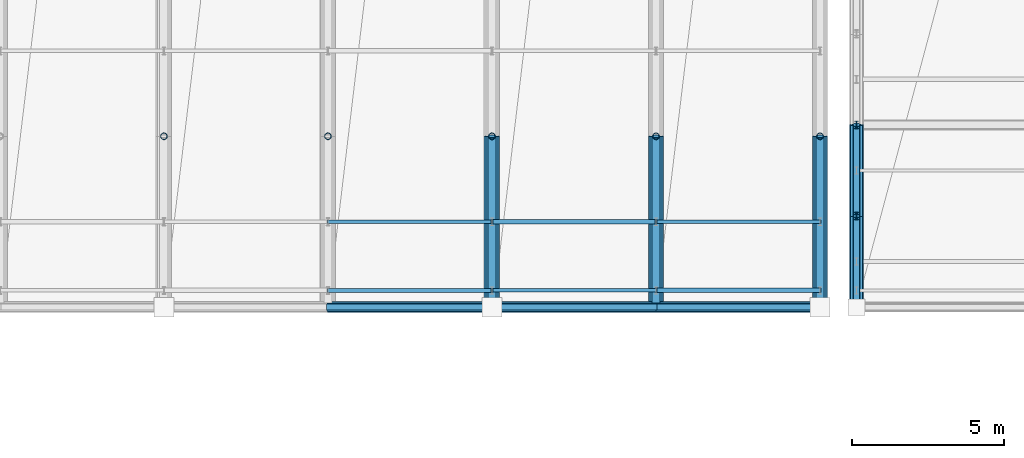
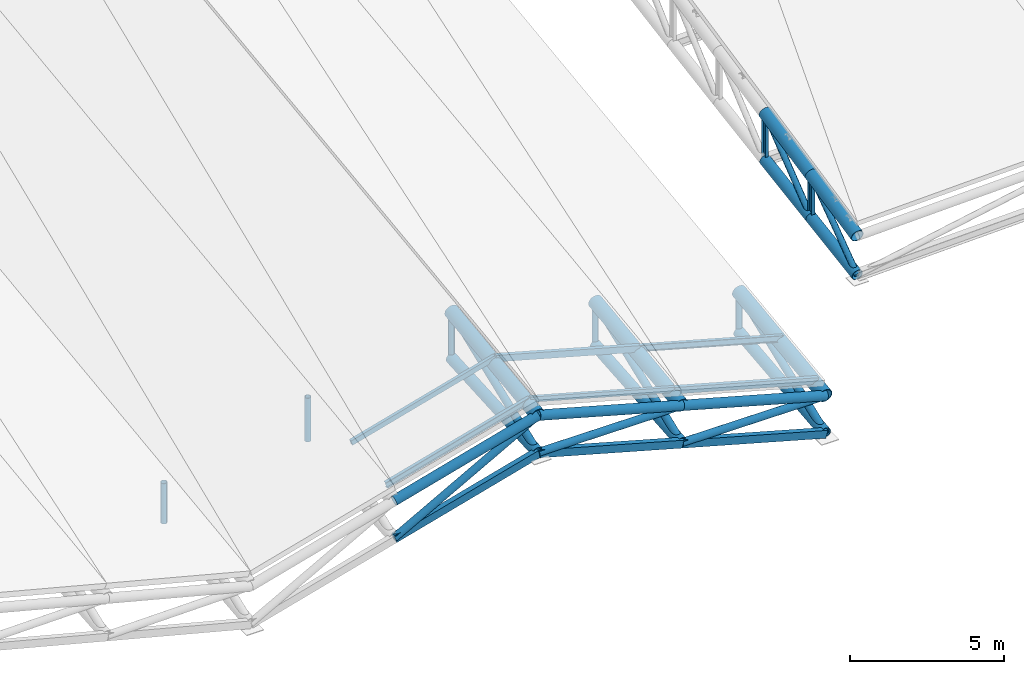
# One storey, part 32 of 109: 27 members, 10 beams.
"""IFC4 building model written with IfcOpenShell, lengths in metres."""

from ifc_helpers import new_model, si_unit, direction, frame, origin, origin_2d, place, context, subcontext, project, spatial, hollow_rectangle, hollow_circle, i_section, extrude, material, material_profile, profile_set, type_object, element, save


model = new_model("IFC4")

# Units and contexts
model_context = context("Model", 3, precision=1e-05, world=origin(), true_north=direction((0.0, 1.0)))
body_context = subcontext(model_context, "Body", "Model", "MODEL_VIEW")
ifc_project = project(units=[si_unit("LENGTHUNIT", "METRE"), si_unit("AREAUNIT", "SQUARE_METRE"), si_unit("VOLUMEUNIT", "CUBIC_METRE"), si_unit("PLANEANGLEUNIT", "RADIAN"), si_unit("MASSUNIT", "GRAM", prefix="KILO")], contexts=[model_context])

# Site, building, storey
site_placement = place(None, origin())
site = spatial("IfcSite", under=ifc_project, at=site_placement, CompositionType="ELEMENT")
building_placement = place(site_placement, origin())
building = spatial("IfcBuilding", under=site, at=building_placement, Name="Suirenkawa Promenade Aquatics Centre", CompositionType="ELEMENT")
storey_placement = place(building_placement, frame((0.0, 0.0, 22.800048828125)))
storey = spatial("IfcBuildingStorey", under=building, at=storey_placement, Name="ROOF", CompositionType="ELEMENT", Elevation=22.800048828125)

# Beams
ifc_material = material(Name="Steel IS 2062 E350 (Grade 350)", Category="steel")
ifc_material_profile_1 = material_profile(ifc_material, hollow_circle(Radius=0.202880859375, WallThickness=0.01806640625, at=origin_2d()), Name="CHS 406x18", Category="steel")
ifc_profile_set_1 = profile_set([ifc_material_profile_1], Name="Steel IS 2062 E350 (Grade 350)")
beam_type_1 = type_object("IfcBeamType", Name="BT-BC-CHS406", PredefinedType="BEAM", material=ifc_profile_set_1)
beam_1_placement = place(storey_placement, frame((144.0, 50.39990234375, -13.47998046875), z_axis=(0.0, 0.998124718782, 0.061213117519), x_axis=(-1.0, 0.0, 0.0)))
element("IfcBeam", 1, at=beam_1_placement, inside=storey, type_object=beam_type_1, Name="ROOF TRUSS V1 bottom chord BC-01 BM-2312", PredefinedType="BEAM", context=body_context, shape_type="SweptSolid", body=[
    extrude(hollow_circle(Radius=0.202880859375, WallThickness=0.01806640625, at=origin_2d()), origin(), (0.0, 0.0, 1.0), 5.635498046875),
])
beam_2_placement = place(storey_placement, frame((149.39990234375, 50.39990234375, -14.97998046875), z_axis=(0.0, 0.996499069884, 0.083603849917), x_axis=(-1.0, 0.0, 0.0)))
element("IfcBeam", 2, at=beam_2_placement, inside=storey, type_object=beam_type_1, Name="ROOF TRUSS V1 bottom chord BC-01 BM-2340", PredefinedType="BEAM", context=body_context, shape_type="SweptSolid", body=[
    extrude(hollow_circle(Radius=0.202880859375, WallThickness=0.01806640625, at=origin_2d()), origin(), (0.0, 0.0, 1.0), 5.644775390625),
])
beam_3_placement = place(storey_placement, frame((154.800048828125, 50.39990234375, -16.47998046875), z_axis=(0.0, 0.994361931266, 0.106039377826), x_axis=(-1.0, 0.0, 0.0)))
element("IfcBeam", 3, at=beam_3_placement, inside=storey, type_object=beam_type_1, Name="ROOF TRUSS V1 bottom chord BC-01 BM-2368", PredefinedType="BEAM", context=body_context, shape_type="SweptSolid", body=[
    extrude(hollow_circle(Radius=0.202880859375, WallThickness=0.01806640625, at=origin_2d()), origin(), (0.0, 0.0, 1.0), 5.656982421875),
])
beam_4_placement = place(storey_placement, frame((156.0, 50.39990234375, -10.630126953125), z_axis=(0.0, 0.988146576735, 0.153513331298), x_axis=(-1.0, 0.0, 0.0)))
element("IfcBeam", 4, at=beam_4_placement, inside=storey, type_object=beam_type_1, Name="ROOF TRUSS V2 bottom chord BC-01 BM-2396", PredefinedType="BEAM", context=body_context, shape_type="SweptSolid", body=[
    extrude(hollow_circle(Radius=0.202880859375, WallThickness=0.01806640625, at=origin_2d()), origin(), (0.0, 0.0, 1.0), 3.035888671875),
])
beam_5_placement = place(storey_placement, frame((156.0, 53.39990234375, -10.1640625), z_axis=(0.0, 0.987852103285, 0.155396982068), x_axis=(-1.0, 0.0, 0.0)))
element("IfcBeam", 5, at=beam_5_placement, inside=storey, type_object=beam_type_1, Name="ROOF TRUSS V2 bottom chord BC-01 BM-2398", PredefinedType="BEAM", context=body_context, shape_type="SweptSolid", body=[
    extrude(hollow_circle(Radius=0.202880859375, WallThickness=0.01806640625, at=origin_2d()), origin(), (0.0, 0.0, 1.0), 3.036865234375),
])
ifc_material_profile_2 = material_profile(ifc_material, hollow_circle(Radius=0.22900390625, WallThickness=0.02001953125, at=origin_2d()), Name="CHS 458x20", Category="steel")
ifc_profile_set_2 = profile_set([ifc_material_profile_2], Name="Steel IS 2062 E350 (Grade 350)")
beam_type_2 = type_object("IfcBeamType", Name="BT-TC-CHS458", PredefinedType="BEAM", material=ifc_profile_set_2)
for number, where, z_axis, x_axis, name in (
    (6, (156.0, 50.39990234375, -9.080078125), (0.0, 0.978452518953, 0.206471954886), (-1.0, 0.0, 0.0), "ROOF TRUSS V2 top chord TC-01 BM-2395"),
    (7, (156.0, 53.39990234375, -8.447021484375), (0.0, 0.978388130003, 0.206776853322), (-1.0, 0.0, 0.0), "ROOF TRUSS V2 top chord TC-01 BM-2397"),
):
    element("IfcBeam", number, at=place(storey_placement, frame(where, z_axis=z_axis, x_axis=x_axis)), inside=storey, type_object=beam_type_2, Name=name, PredefinedType="BEAM", context=body_context, shape_type="SweptSolid", body=[
        extrude(hollow_circle(Radius=0.22900390625, WallThickness=0.02001953125, at=origin_2d()), origin(), (0.0, 0.0, 1.0), 3.066162109375),
    ])
ifc_material_profile_3 = material_profile(ifc_material, hollow_circle(Radius=0.25390625, WallThickness=0.02392578125, at=origin_2d()), Name="CHS 508x24", Category="steel")
ifc_profile_set_3 = profile_set([ifc_material_profile_3], Name="Steel IS 2062 E350 (Grade 350)")
beam_type_3 = type_object("IfcBeamType", Name="BT-TC-CHS508", PredefinedType="BEAM", material=ifc_profile_set_3)
for number, where, z_axis, x_axis, name in (
    (8, (144.0, 50.39990234375, -12.0), (0.0, 0.991799178012, 0.127806065951), (-1.0, 0.0, 0.0), "ROOF TRUSS V1 top chord TC-02 BM-2311"),
    (9, (149.39990234375, 50.39990234375, -13.5), (0.0, 0.991799178012, 0.127806065951), (-1.0, 0.0, 0.0), "ROOF TRUSS V1 top chord TC-02 BM-2339"),
    (10, (154.800048828125, 50.39990234375, -15.0), (0.0, 0.991799178012, 0.127806065951), (-1.0, 0.0, 0.0), "ROOF TRUSS V1 top chord TC-02 BM-2367"),
):
    element("IfcBeam", number, at=place(storey_placement, frame(where, z_axis=z_axis, x_axis=x_axis)), inside=storey, type_object=beam_type_3, Name=name, PredefinedType="BEAM", context=body_context, shape_type="SweptSolid", body=[
        extrude(hollow_circle(Radius=0.25390625, WallThickness=0.02392578125, at=origin_2d()), origin(), (0.0, 0.0, 1.0), 5.671630859375),
    ])

# Members
ifc_material_profile_4 = material_profile(ifc_material, hollow_circle(Radius=0.177978515625, WallThickness=0.01611328125, at=origin_2d()), Name="CHS 356x16", Category="steel")
ifc_profile_set_4 = profile_set([ifc_material_profile_4], Name="Steel IS 2062 E350 (Grade 350)")
member_type_1 = type_object("IfcMemberType", Name="MT-CHORD-CHS356", PredefinedType="CHORD", material=ifc_profile_set_4)
for number, where, z_axis, x_axis, name in (
    (11, (138.60009765625, 50.39990234375, -13.5), (0.963516661409, 0.0, 0.267648357342), (0.0, 1.0, 0.0), "ROOF TRUSS V1 eave top chord CH-02 MB-0619"),
    (12, (144.0, 50.39990234375, -12.0), (0.963516661409, 0.0, -0.267648357342), (0.0, 1.0, 0.0), "ROOF TRUSS V1 eave top chord CH-02 MB-0622"),
):
    element("IfcMember", number, at=place(storey_placement, frame(where, z_axis=z_axis, x_axis=x_axis)), inside=storey, type_object=member_type_1, Name=name, PredefinedType="CHORD", context=body_context, shape_type="SweptSolid", body=[
        extrude(hollow_circle(Radius=0.177978515625, WallThickness=0.01611328125, at=origin_2d()), origin(), (0.0, 0.0, 1.0), 5.604248046875),
    ])
member_1_placement = place(storey_placement, frame((149.39990234375, 50.39990234375, -13.5), z_axis=(0.963519781844, 0.0, -0.267637123724), x_axis=(0.0, 1.0, 0.0)))
element("IfcMember", 13, at=member_1_placement, inside=storey, type_object=member_type_1, Name="ROOF TRUSS V1 eave top chord CH-02 MB-0625", PredefinedType="CHORD", context=body_context, shape_type="SweptSolid", body=[
    extrude(hollow_circle(Radius=0.177978515625, WallThickness=0.01611328125, at=origin_2d()), origin(), (0.0, 0.0, 1.0), 5.6044921875),
])
ifc_material_profile_5 = material_profile(ifc_material, hollow_rectangle(XDim=0.199951171875, YDim=0.300048828125, WallThickness=0.011962890625, at=origin_2d()), Name="RHS 300x200x12", Category="steel")
ifc_profile_set_5 = profile_set([ifc_material_profile_5], Name="Steel IS 2062 E350 (Grade 350)")
member_type_2 = type_object("IfcMemberType", Name="MT-CHORD-RHS300", PredefinedType="CHORD", material=ifc_profile_set_5)
for number, where, z_axis, x_axis, name in (
    (14, (138.60009765625, 50.39990234375, -14.97998046875), (0.963516661409, 0.0, 0.267648357342), (0.0, 1.0, 0.0), "ROOF TRUSS V1 eave bottom chord CH-03 MB-0620"),
    (15, (144.0, 50.39990234375, -13.47998046875), (0.963516661409, 0.0, -0.267648357342), (0.0, 1.0, 0.0), "ROOF TRUSS V1 eave bottom chord CH-03 MB-0623"),
):
    element("IfcMember", number, at=place(storey_placement, frame(where, z_axis=z_axis, x_axis=x_axis)), inside=storey, type_object=member_type_2, Name=name, PredefinedType="CHORD", context=body_context, shape_type="SweptSolid", body=[
        extrude(hollow_rectangle(XDim=0.199951171875, YDim=0.300048828125, WallThickness=0.011962890625, at=origin_2d()), origin(), (0.0, 0.0, 1.0), 5.604248046875),
    ])
member_2_placement = place(storey_placement, frame((149.39990234375, 50.39990234375, -14.97998046875), z_axis=(0.963519781844, 0.0, -0.267637123724), x_axis=(0.0, 1.0, 0.0)))
element("IfcMember", 16, at=member_2_placement, inside=storey, type_object=member_type_2, Name="ROOF TRUSS V1 eave bottom chord CH-03 MB-0626", PredefinedType="CHORD", context=body_context, shape_type="SweptSolid", body=[
    extrude(hollow_rectangle(XDim=0.199951171875, YDim=0.300048828125, WallThickness=0.011962890625, at=origin_2d()), origin(), (0.0, 0.0, 1.0), 5.6044921875),
])
ifc_material_profile_6 = material_profile(ifc_material, i_section(OverallWidth=0.125, OverallDepth=0.25, WebThickness=0.007080078125, FlangeThickness=0.012939453125, at=origin_2d()), Name="ISMB 250", Category="steel")
ifc_profile_set_6 = profile_set([ifc_material_profile_6], Name="Steel IS 2062 E350 (Grade 350)")
member_type_3 = type_object("IfcMemberType", Name="MT-PURLIN-ISMB250", PredefinedType="PURLIN", material=ifc_profile_set_6)
member_3_placement = place(storey_placement, frame((138.60009765625, 50.949951171875, -13.2080078125), z_axis=(0.963516661409, 0.0, 0.267648357342), x_axis=(0.0, 1.0, 0.0)))
element("IfcMember", 17, at=member_3_placement, inside=storey, type_object=member_type_3, Name="ROOF TRUSS Roof purlin PU-04 MB-2299", PredefinedType="PURLIN", context=body_context, shape_type="SweptSolid", body=[
    extrude(i_section(OverallWidth=0.125, OverallDepth=0.25, WebThickness=0.007080078125, FlangeThickness=0.012939453125, at=origin_2d()), origin(), (0.0, 0.0, 1.0), 5.604248046875),
])
member_4_placement = place(storey_placement, frame((149.39990234375, 53.2119140625, -12.9169921875), z_axis=(0.963519781844, 0.0, -0.267637123724), x_axis=(0.0, 1.0, 0.0)))
element("IfcMember", 18, at=member_4_placement, inside=storey, type_object=member_type_3, Name="ROOF TRUSS Roof purlin PU-04 MB-2373", PredefinedType="PURLIN", context=body_context, shape_type="SweptSolid", body=[
    extrude(i_section(OverallWidth=0.125, OverallDepth=0.25, WebThickness=0.007080078125, FlangeThickness=0.012939453125, at=origin_2d()), origin(), (0.0, 0.0, 1.0), 5.6044921875),
])
ifc_material_profile_7 = material_profile(ifc_material, hollow_rectangle(XDim=0.1201171875, YDim=0.199951171875, WallThickness=0.008056640625, at=origin_2d()), Name="RHS 200x120x8", Category="steel")
ifc_profile_set_7 = profile_set([ifc_material_profile_7], Name="Steel IS 2062 E350 (Grade 350)")
member_type_4 = type_object("IfcMemberType", Name="MT-PURLIN-RHS200", PredefinedType="PURLIN", material=ifc_profile_set_7)
for number, where, z_axis, x_axis, name in (
    (19, (138.60009765625, 53.2119140625, -12.89111328125), (0.963516661409, 0.0, 0.267648357342), (0.0, 1.0, 0.0), "ROOF TRUSS Roof purlin PU-02 MB-2301"),
    (20, (144.0, 50.949951171875, -11.68310546875), (0.963516661409, 0.0, -0.267648357342), (0.0, 1.0, 0.0), "ROOF TRUSS Roof purlin PU-02 MB-2335"),
):
    element("IfcMember", number, at=place(storey_placement, frame(where, z_axis=z_axis, x_axis=x_axis)), inside=storey, type_object=member_type_4, Name=name, PredefinedType="PURLIN", context=body_context, shape_type="SweptSolid", body=[
        extrude(hollow_rectangle(XDim=0.1201171875, YDim=0.199951171875, WallThickness=0.008056640625, at=origin_2d()), origin(), (0.0, 0.0, 1.0), 5.604248046875),
    ])
ifc_material_profile_8 = material_profile(ifc_material, hollow_rectangle(XDim=0.14990234375, YDim=0.25, WallThickness=0.010009765625, at=origin_2d()), Name="RHS 250x150x10", Category="steel")
ifc_profile_set_8 = profile_set([ifc_material_profile_8], Name="Steel IS 2062 E350 (Grade 350)")
member_type_5 = type_object("IfcMemberType", Name="MT-PURLIN-RHS250", PredefinedType="PURLIN", material=ifc_profile_set_8)
member_5_placement = place(storey_placement, frame((144.0, 53.2119140625, -11.41796875), z_axis=(0.963516661409, 0.0, -0.267648357342), x_axis=(0.0, 1.0, 0.0)))
element("IfcMember", 21, at=member_5_placement, inside=storey, type_object=member_type_5, Name="ROOF TRUSS Roof purlin PU-03 MB-2337", PredefinedType="PURLIN", context=body_context, shape_type="SweptSolid", body=[
    extrude(hollow_rectangle(XDim=0.14990234375, YDim=0.25, WallThickness=0.010009765625, at=origin_2d()), origin(), (0.0, 0.0, 1.0), 5.604248046875),
])
member_6_placement = place(storey_placement, frame((149.39990234375, 50.949951171875, -13.2099609375), z_axis=(0.963519781844, 0.0, -0.267637123724), x_axis=(0.0, 1.0, 0.0)))
element("IfcMember", 22, at=member_6_placement, inside=storey, type_object=member_type_5, Name="ROOF TRUSS Roof purlin PU-03 MB-2371", PredefinedType="PURLIN", context=body_context, shape_type="SweptSolid", body=[
    extrude(hollow_rectangle(XDim=0.14990234375, YDim=0.25, WallThickness=0.010009765625, at=origin_2d()), origin(), (0.0, 0.0, 1.0), 5.6044921875),
])
ifc_material_profile_9 = material_profile(ifc_material, i_section(OverallWidth=0.125, OverallDepth=0.25, WebThickness=0.007080078125, FlangeThickness=0.012939453125, at=origin_2d()), Name="ISMB 250", Category="steel")
ifc_profile_set_9 = profile_set([ifc_material_profile_9], Name="Steel IS 2062 E350 (Grade 350)")
member_type_6 = type_object("IfcMemberType", Name="MT-WEB-CHS168", PredefinedType="BRACE", material=ifc_profile_set_9)
member_7_placement = place(storey_placement, frame((156.0, 53.39990234375, -10.1640625), z_axis=(0.0, 0.0, 1.0), x_axis=(1.0, 0.0, 0.0)))
element("IfcMember", 23, at=member_7_placement, inside=storey, type_object=member_type_6, Name="ROOF TRUSS V2 web post TD-03 MB-0989", PredefinedType="BRACE", context=body_context, shape_type="SweptSolid", body=[
    extrude(i_section(OverallWidth=0.125, OverallDepth=0.25, WebThickness=0.007080078125, FlangeThickness=0.012939453125, at=origin_2d()), origin(), (0.0, 0.0, 1.0), 1.717041015625),
])
member_8_placement = place(storey_placement, frame((156.0, 56.39990234375, -9.692138671875), z_axis=(0.0, 0.0, 1.0), x_axis=(1.0, 0.0, 0.0)))
element("IfcMember", 24, at=member_8_placement, inside=storey, type_object=member_type_6, Name="ROOF TRUSS V2 web post TD-03 MB-0990", PredefinedType="BRACE", context=body_context, shape_type="SweptSolid", body=[
    extrude(i_section(OverallWidth=0.125, OverallDepth=0.25, WebThickness=0.007080078125, FlangeThickness=0.012939453125, at=origin_2d()), origin(), (0.0, 0.0, 1.0), 1.879150390625),
])
ifc_material_profile_10 = material_profile(ifc_material, hollow_circle(Radius=0.110107421875, WallThickness=0.010009765625, at=origin_2d()), Name="CHS 220x10", Category="steel")
ifc_profile_set_10 = profile_set([ifc_material_profile_10], Name="Steel IS 2062 E350 (Grade 350)")
member_type_7 = type_object("IfcMemberType", Name="MT-WEB-CHS220", PredefinedType="BRACE", material=ifc_profile_set_10)
member_9_placement = place(storey_placement, frame((133.199951171875, 56.02490234375, -15.880126953125), z_axis=(0.0, 0.0, 1.0), x_axis=(1.0, 0.0, 0.0)))
element("IfcMember", 25, at=member_9_placement, inside=storey, type_object=member_type_7, Name="ROOF TRUSS V1 web post TD-01 MB-0447", PredefinedType="BRACE", context=body_context, shape_type="SweptSolid", body=[
    extrude(hollow_circle(Radius=0.110107421875, WallThickness=0.010009765625, at=origin_2d()), origin(), (0.0, 0.0, 1.0), 1.60498046875),
])
member_10_placement = place(storey_placement, frame((138.60009765625, 56.02490234375, -14.508056640625), z_axis=(0.0, 0.0, 1.0), x_axis=(1.0, 0.0, 0.0)))
element("IfcMember", 26, at=member_10_placement, inside=storey, type_object=member_type_7, Name="ROOF TRUSS V1 web post TD-01 MB-0474", PredefinedType="BRACE", context=body_context, shape_type="SweptSolid", body=[
    extrude(hollow_circle(Radius=0.110107421875, WallThickness=0.010009765625, at=origin_2d()), origin(), (0.0, 0.0, 1.0), 1.73291015625),
])
member_11_placement = place(storey_placement, frame((144.0, 56.02490234375, -13.135009765625), z_axis=(0.0, 0.0, 1.0), x_axis=(1.0, 0.0, 0.0)))
element("IfcMember", 27, at=member_11_placement, inside=storey, type_object=member_type_7, Name="ROOF TRUSS V1 web post TD-01 MB-0501", PredefinedType="BRACE", context=body_context, shape_type="SweptSolid", body=[
    extrude(hollow_circle(Radius=0.110107421875, WallThickness=0.010009765625, at=origin_2d()), origin(), (0.0, 0.0, 1.0), 1.85986328125),
])
member_12_placement = place(storey_placement, frame((149.39990234375, 56.02490234375, -14.508056640625), z_axis=(0.0, 0.0, 1.0), x_axis=(1.0, 0.0, 0.0)))
element("IfcMember", 28, at=member_12_placement, inside=storey, type_object=member_type_7, Name="ROOF TRUSS V1 web post TD-01 MB-0528", PredefinedType="BRACE", context=body_context, shape_type="SweptSolid", body=[
    extrude(hollow_circle(Radius=0.110107421875, WallThickness=0.010009765625, at=origin_2d()), origin(), (0.0, 0.0, 1.0), 1.73291015625),
])
member_13_placement = place(storey_placement, frame((154.800048828125, 56.02490234375, -15.880126953125), z_axis=(0.0, 0.0, 1.0), x_axis=(1.0, 0.0, 0.0)))
element("IfcMember", 29, at=member_13_placement, inside=storey, type_object=member_type_7, Name="ROOF TRUSS V1 web post TD-01 MB-0555", PredefinedType="BRACE", context=body_context, shape_type="SweptSolid", body=[
    extrude(hollow_circle(Radius=0.110107421875, WallThickness=0.010009765625, at=origin_2d()), origin(), (0.0, 0.0, 1.0), 1.60498046875),
])
member_14_placement = place(storey_placement, frame((156.0, 50.39990234375, -10.630126953125), z_axis=(0.0, 0.808571014745, 0.588398601387), x_axis=(-1.0, 0.0, 0.0)))
element("IfcMember", 30, at=member_14_placement, inside=storey, type_object=member_type_7, Name="ROOF TRUSS V2 web diagonal TD-01 MB-0971", PredefinedType="BRACE", context=body_context, shape_type="SweptSolid", body=[
    extrude(hollow_circle(Radius=0.110107421875, WallThickness=0.010009765625, at=origin_2d()), origin(), (0.0, 0.0, 1.0), 3.710205078125),
])
member_15_placement = place(storey_placement, frame((156.0, 53.39990234375, -10.1640625), z_axis=(0.0, 0.787091215827, 0.616836621779), x_axis=(-1.0, 0.0, 0.0)))
element("IfcMember", 31, at=member_15_placement, inside=storey, type_object=member_type_7, Name="ROOF TRUSS V2 web diagonal TD-01 MB-0972", PredefinedType="BRACE", context=body_context, shape_type="SweptSolid", body=[
    extrude(hollow_circle(Radius=0.110107421875, WallThickness=0.010009765625, at=origin_2d()), origin(), (0.0, 0.0, 1.0), 3.8115234375),
])
ifc_material_profile_11 = material_profile(ifc_material, hollow_circle(Radius=0.136962890625, WallThickness=0.011962890625, at=origin_2d()), Name="CHS 274x12", Category="steel")
ifc_profile_set_11 = profile_set([ifc_material_profile_11], Name="Steel IS 2062 E350 (Grade 350)")
member_type_8 = type_object("IfcMemberType", Name="MT-WEB-CHS274", PredefinedType="BRACE", material=ifc_profile_set_11)
for number, where, z_axis, x_axis, name in (
    (32, (144.0, 50.39990234375, -13.47998046875), (0.0, 0.931032164378, 0.364937130056), (-1.0, 0.0, 0.0), "ROOF TRUSS V1 web diagonal TD-02 MB-0487"),
    (33, (149.39990234375, 50.39990234375, -14.97998046875), (0.0, 0.931032164378, 0.364937130056), (-1.0, 0.0, 0.0), "ROOF TRUSS V1 web diagonal TD-02 MB-0514"),
    (34, (154.800048828125, 50.39990234375, -16.47998046875), (0.0, 0.931032164378, 0.364937130056), (-1.0, 0.0, 0.0), "ROOF TRUSS V1 web diagonal TD-02 MB-0541"),
):
    element("IfcMember", number, at=place(storey_placement, frame(where, z_axis=z_axis, x_axis=x_axis)), inside=storey, type_object=member_type_8, Name=name, PredefinedType="BRACE", context=body_context, shape_type="SweptSolid", body=[
        extrude(hollow_circle(Radius=0.136962890625, WallThickness=0.011962890625, at=origin_2d()), origin(), (0.0, 0.0, 1.0), 6.041748046875),
    ])
member_16_placement = place(storey_placement, frame((138.60009765625, 50.39990234375, -14.97998046875), z_axis=(0.875528027487, 0.0, 0.483167334456), x_axis=(0.0, 1.0, 0.0)))
element("IfcMember", 35, at=member_16_placement, inside=storey, type_object=member_type_8, Name="ROOF TRUSS V1 eave web diagonal TD-02 MB-0621", PredefinedType="BRACE", context=body_context, shape_type="SweptSolid", body=[
    extrude(hollow_circle(Radius=0.136962890625, WallThickness=0.011962890625, at=origin_2d()), origin(), (0.0, 0.0, 1.0), 6.16748046875),
])
member_17_placement = place(storey_placement, frame((144.0, 50.39990234375, -13.47998046875), z_axis=(0.999993127709, 0.0, -0.00370736217), x_axis=(0.0, 1.0, 0.0)))
element("IfcMember", 36, at=member_17_placement, inside=storey, type_object=member_type_8, Name="ROOF TRUSS V1 eave web diagonal TD-02 MB-0624", PredefinedType="BRACE", context=body_context, shape_type="SweptSolid", body=[
    extrude(hollow_circle(Radius=0.136962890625, WallThickness=0.011962890625, at=origin_2d()), origin(), (0.0, 0.0, 1.0), 5.39990234375),
])
member_18_placement = place(storey_placement, frame((149.39990234375, 50.39990234375, -14.97998046875), z_axis=(0.999993128331, 0.0, -0.003707194562), x_axis=(0.0, 1.0, 0.0)))
element("IfcMember", 37, at=member_18_placement, inside=storey, type_object=member_type_8, Name="ROOF TRUSS V1 eave web diagonal TD-02 MB-0627", PredefinedType="BRACE", context=body_context, shape_type="SweptSolid", body=[
    extrude(hollow_circle(Radius=0.136962890625, WallThickness=0.011962890625, at=origin_2d()), origin(), (0.0, 0.0, 1.0), 5.400146484375),
])

save(model, "model.ifc")
